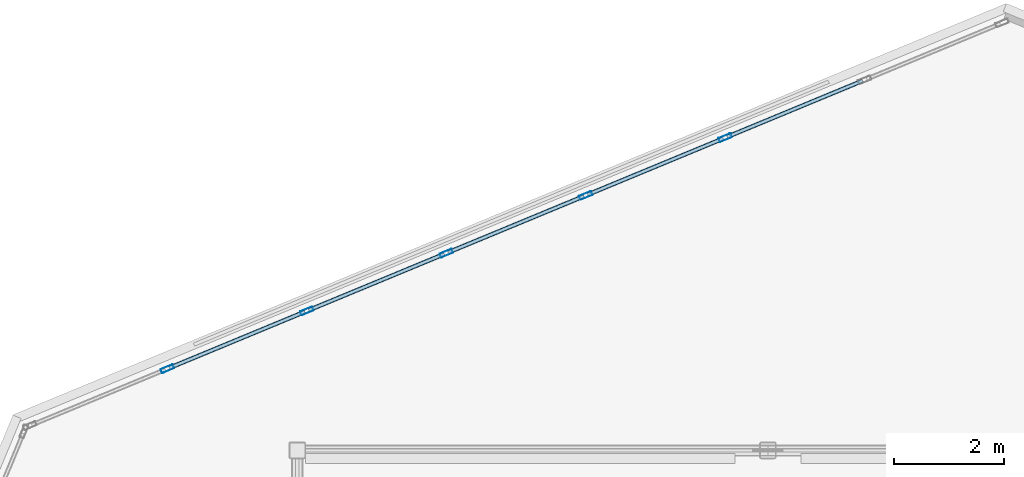
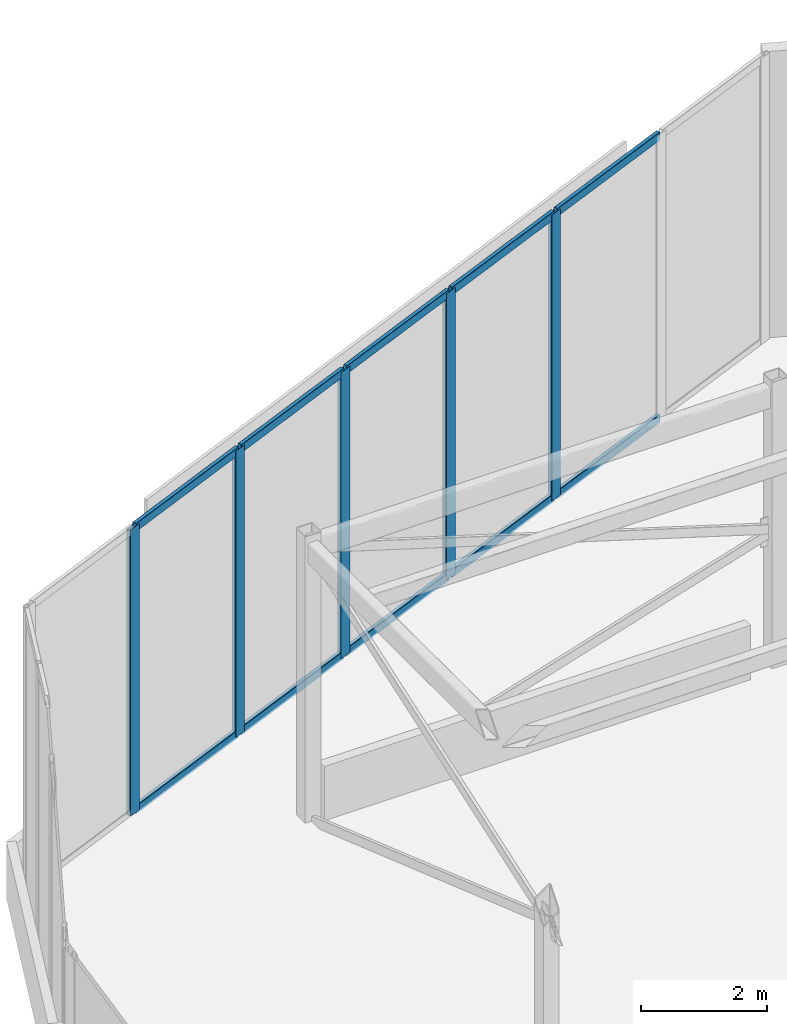
# One storey, part 9 of 12: 15 members, 1 element without a shape of its own.
"""IFC4 building model written with IfcOpenShell, lengths in metres."""

from ifc_helpers import new_model, si_unit, direction, frame, origin, origin_2d, place, context, subcontext, project, spatial, hollow_rectangle, extrude, source, transform, mapped, material, material_profile, profile_set, type_object, element, aggregate, save


model = new_model("IFC4")

# Units and contexts
model_context = context("Model", 3, precision=1e-05, world=origin(), true_north=direction((0.0, 1.0)))
body_context = subcontext(model_context, "Body", "Model", "MODEL_VIEW")
ifc_project = project(units=[si_unit("LENGTHUNIT", "METRE"), si_unit("AREAUNIT", "SQUARE_METRE"), si_unit("VOLUMEUNIT", "CUBIC_METRE"), si_unit("PLANEANGLEUNIT", "RADIAN"), si_unit("MASSUNIT", "GRAM", prefix="KILO")], contexts=[model_context])

# Site, building, storey
site_placement = place(None, origin())
site = spatial("IfcSite", under=ifc_project, at=site_placement, CompositionType="ELEMENT")
building_placement = place(site_placement, origin())
building = spatial("IfcBuilding", under=site, at=building_placement, Name="Torre Montelarca", CompositionType="ELEMENT")
storey_placement = place(building_placement, frame((0.0, 0.0, 370.60009765625)))
storey = spatial("IfcBuildingStorey", under=building, at=storey_placement, Name="RF", CompositionType="ELEMENT", Elevation=370.60009765625)

# Curtain wall, members
ifc_material_1 = material(Name="Amber translucent laminated glass", Category="glass")
curtain_wall_type = type_object("IfcCurtainWallType", Name="CW-SYS-LANT", PredefinedType="USERDEFINED", material=ifc_material_1)
curtain_wall_placement = place(storey_placement, origin())
curtain_wall = element("IfcCurtainWall", 1, at=curtain_wall_placement, inside=storey, type_object=curtain_wall_type, Name="RF Crown Translucent Amber Lantern Curtain Wall 07-1", ObjectType="TRANSLUCENT LANTERN", PredefinedType="USERDEFINED")
ifc_material_2 = material(Name="Anodised aluminium AA 6063-T6", Category="aluminium")
ifc_material_profile_1 = material_profile(ifc_material_2, hollow_rectangle(XDim=0.080078125, YDim=0.239990234375, WallThickness=0.0048828125, InnerFilletRadius=0.0048828125, OuterFilletRadius=0.010009765625, at=origin_2d()), Name="ALU80X240X5", Category="aluminium")
ifc_profile_set_1 = profile_set([ifc_material_profile_1], Name="Anodised aluminium AA 6063-T6")
member_type_1 = type_object("IfcMemberType", Name="CWM-ALU240", PredefinedType="MULLION", material=ifc_profile_set_1)
shared_shape_1 = source(origin(), body_context, "Body", "SweptSolid", [
    extrude(hollow_rectangle(XDim=0.080078125, YDim=0.239990234375, WallThickness=0.0048828125, InnerFilletRadius=0.0048828125, OuterFilletRadius=0.010009765625, at=origin_2d()), origin(), (0.0, 0.0, 1.0), 5.539794921875),
])
member_1_placement = place(storey_placement, frame((17.2255859375, 45.2314453125, 0.0), z_axis=(0.0, 0.0, 1.0), x_axis=(0.382688506799, -0.923877430596, 0.0)))
member_1 = element("IfcMember", 2, at=member_1_placement, type_object=member_type_1, Name="CW mullion 3", PredefinedType="MULLION", context=body_context, shape_type="MappedRepresentation", body=[
    mapped(shared_shape_1, transform((0.0, 0.0, 0.0), scale=1.0)),
])
member_2_placement = place(storey_placement, frame((14.69140625, 44.181640625, 0.0), z_axis=(0.0, 0.0, 1.0), x_axis=(0.382688506799, -0.923877430596, 0.0)))
member_2 = element("IfcMember", 3, at=member_2_placement, type_object=member_type_1, Name="CW mullion 4", PredefinedType="MULLION", context=body_context, shape_type="MappedRepresentation", body=[
    mapped(shared_shape_1, transform((0.0, 0.0, 0.0), scale=1.0)),
])
member_3_placement = place(storey_placement, frame((12.157470703125, 43.132080078125, 0.0), z_axis=(0.0, 0.0, 1.0), x_axis=(0.382688506799, -0.923877430596, 0.0)))
member_3 = element("IfcMember", 4, at=member_3_placement, type_object=member_type_1, Name="CW mullion 5", PredefinedType="MULLION", context=body_context, shape_type="MappedRepresentation", body=[
    mapped(shared_shape_1, transform((0.0, 0.0, 0.0), scale=1.0)),
])
member_4_placement = place(storey_placement, frame((9.623291015625, 42.08251953125, 0.0), z_axis=(0.0, 0.0, 1.0), x_axis=(0.382688506799, -0.923877430596, 0.0)))
member_4 = element("IfcMember", 5, at=member_4_placement, type_object=member_type_1, Name="CW mullion 6", PredefinedType="MULLION", context=body_context, shape_type="MappedRepresentation", body=[
    mapped(shared_shape_1, transform((0.0, 0.0, 0.0), scale=1.0)),
])
member_5_placement = place(storey_placement, frame((7.08935546875, 41.03271484375, 0.0), z_axis=(0.0, 0.0, 1.0), x_axis=(0.382688506799, -0.923877430596, 0.0)))
member_5 = element("IfcMember", 6, at=member_5_placement, type_object=member_type_1, Name="CW mullion 7", PredefinedType="MULLION", context=body_context, shape_type="MappedRepresentation", body=[
    mapped(shared_shape_1, transform((0.0, 0.0, 0.0), scale=1.0)),
])
ifc_material_profile_2 = material_profile(ifc_material_2, hollow_rectangle(XDim=0.074951171875, YDim=0.159912109375, WallThickness=0.0048828125, InnerFilletRadius=0.0048828125, OuterFilletRadius=0.010009765625, at=origin_2d()), Name="ALU75X160X5", Category="aluminium")
ifc_profile_set_2 = profile_set([ifc_material_profile_2], Name="Anodised aluminium AA 6063-T6")
member_type_2 = type_object("IfcMemberType", Name="CWT-ALU160", PredefinedType="USERDEFINED", material=ifc_profile_set_2)
shared_shape_2 = source(origin(), body_context, "Body", "SweptSolid", [
    extrude(hollow_rectangle(XDim=0.074951171875, YDim=0.159912109375, WallThickness=0.0048828125, InnerFilletRadius=0.0048828125, OuterFilletRadius=0.010009765625, at=origin_2d()), origin(), (0.0, 0.0, 1.0), 2.662841796875),
])
member_6_placement = place(storey_placement, frame((19.72265625, 46.265625, 0.037353515625), z_axis=(-0.923880507149, -0.382681079373, 0.0), x_axis=(0.382681079373, -0.923880507149, 0.0)))
member_6 = element("IfcMember", 7, at=member_6_placement, type_object=member_type_2, Name="CW transom 2.1", ObjectType="TRANSOM", PredefinedType="USERDEFINED", context=body_context, shape_type="MappedRepresentation", body=[
    mapped(shared_shape_2, transform((0.0, 0.0, 0.0), scale=1.0)),
])
member_7_placement = place(storey_placement, frame((19.72265625, 46.265625, 5.50244140625), z_axis=(-0.923880507149, -0.382681079373, 0.0), x_axis=(0.382681079373, -0.923880507149, 0.0)))
member_7 = element("IfcMember", 8, at=member_7_placement, type_object=member_type_2, Name="CW transom 2.2", ObjectType="TRANSOM", PredefinedType="USERDEFINED", context=body_context, shape_type="MappedRepresentation", body=[
    mapped(shared_shape_2, transform((0.0, 0.0, 0.0), scale=1.0)),
])
member_8_placement = place(storey_placement, frame((17.1884765625, 45.216064453125, 0.037353515625), z_axis=(-0.923880507149, -0.382681079373, 0.0), x_axis=(0.382681079373, -0.923880507149, 0.0)))
member_8 = element("IfcMember", 9, at=member_8_placement, type_object=member_type_2, Name="CW transom 3.1", ObjectType="TRANSOM", PredefinedType="USERDEFINED", context=body_context, shape_type="MappedRepresentation", body=[
    mapped(shared_shape_2, transform((0.0, 0.0, 0.0), scale=1.0)),
])
member_9_placement = place(storey_placement, frame((17.1884765625, 45.216064453125, 5.50244140625), z_axis=(-0.923880507149, -0.382681079373, 0.0), x_axis=(0.382681079373, -0.923880507149, 0.0)))
member_9 = element("IfcMember", 10, at=member_9_placement, type_object=member_type_2, Name="CW transom 3.2", ObjectType="TRANSOM", PredefinedType="USERDEFINED", context=body_context, shape_type="MappedRepresentation", body=[
    mapped(shared_shape_2, transform((0.0, 0.0, 0.0), scale=1.0)),
])
member_10_placement = place(storey_placement, frame((14.654541015625, 44.16650390625, 0.037353515625), z_axis=(-0.923880507149, -0.382681079373, 0.0), x_axis=(0.382681079373, -0.923880507149, 0.0)))
member_10 = element("IfcMember", 11, at=member_10_placement, type_object=member_type_2, Name="CW transom 4.1", ObjectType="TRANSOM", PredefinedType="USERDEFINED", context=body_context, shape_type="MappedRepresentation", body=[
    mapped(shared_shape_2, transform((0.0, 0.0, 0.0), scale=1.0)),
])
member_11_placement = place(storey_placement, frame((14.654541015625, 44.16650390625, 5.50244140625), z_axis=(-0.923880507149, -0.382681079373, 0.0), x_axis=(0.382681079373, -0.923880507149, 0.0)))
member_11 = element("IfcMember", 12, at=member_11_placement, type_object=member_type_2, Name="CW transom 4.2", ObjectType="TRANSOM", PredefinedType="USERDEFINED", context=body_context, shape_type="MappedRepresentation", body=[
    mapped(shared_shape_2, transform((0.0, 0.0, 0.0), scale=1.0)),
])
member_12_placement = place(storey_placement, frame((12.120361328125, 43.11669921875, 0.037353515625), z_axis=(-0.923880507149, -0.382681079373, 0.0), x_axis=(0.382681079373, -0.923880507149, 0.0)))
member_12 = element("IfcMember", 13, at=member_12_placement, type_object=member_type_2, Name="CW transom 5.1", ObjectType="TRANSOM", PredefinedType="USERDEFINED", context=body_context, shape_type="MappedRepresentation", body=[
    mapped(shared_shape_2, transform((0.0, 0.0, 0.0), scale=1.0)),
])
member_13_placement = place(storey_placement, frame((12.120361328125, 43.11669921875, 5.50244140625), z_axis=(-0.923880507149, -0.382681079373, 0.0), x_axis=(0.382681079373, -0.923880507149, 0.0)))
member_13 = element("IfcMember", 14, at=member_13_placement, type_object=member_type_2, Name="CW transom 5.2", ObjectType="TRANSOM", PredefinedType="USERDEFINED", context=body_context, shape_type="MappedRepresentation", body=[
    mapped(shared_shape_2, transform((0.0, 0.0, 0.0), scale=1.0)),
])
member_14_placement = place(storey_placement, frame((9.58642578125, 42.067138671875, 0.037353515625), z_axis=(-0.923880507149, -0.382681079373, 0.0), x_axis=(0.382681079373, -0.923880507149, 0.0)))
member_14 = element("IfcMember", 15, at=member_14_placement, type_object=member_type_2, Name="CW transom 6.1", ObjectType="TRANSOM", PredefinedType="USERDEFINED", context=body_context, shape_type="MappedRepresentation", body=[
    mapped(shared_shape_2, transform((0.0, 0.0, 0.0), scale=1.0)),
])
member_15_placement = place(storey_placement, frame((9.58642578125, 42.067138671875, 5.50244140625), z_axis=(-0.923880507149, -0.382681079373, 0.0), x_axis=(0.382681079373, -0.923880507149, 0.0)))
member_15 = element("IfcMember", 16, at=member_15_placement, type_object=member_type_2, Name="CW transom 6.2", ObjectType="TRANSOM", PredefinedType="USERDEFINED", context=body_context, shape_type="MappedRepresentation", body=[
    mapped(shared_shape_2, transform((0.0, 0.0, 0.0), scale=1.0)),
])
aggregate(curtain_wall, [member_1, member_2, member_3, member_4, member_5, member_6, member_7, member_8, member_9, member_10, member_11, member_12, member_13, member_14, member_15])

save(model, "model.ifc")
